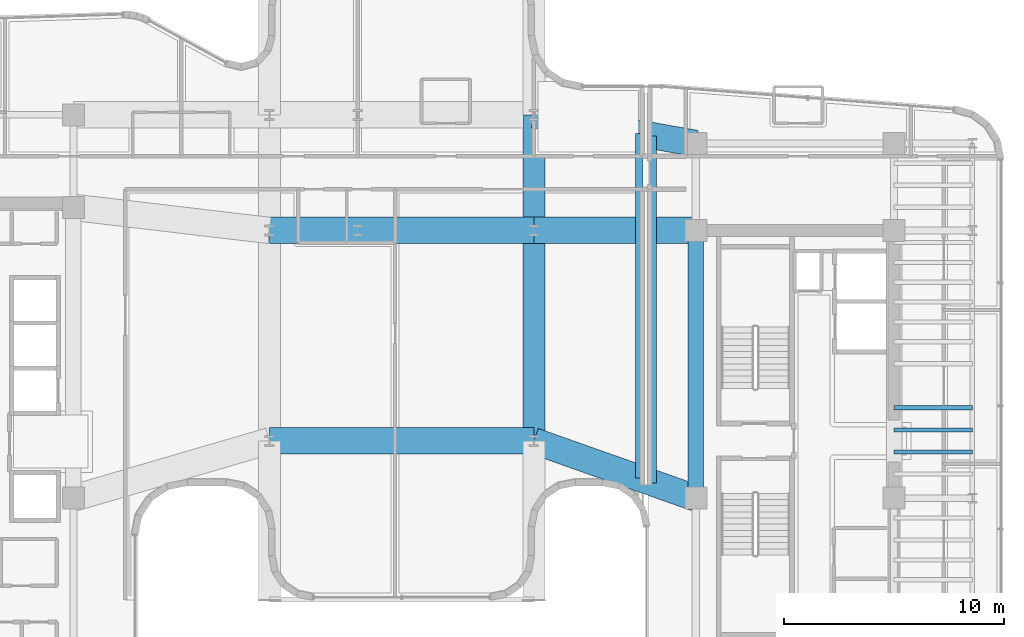
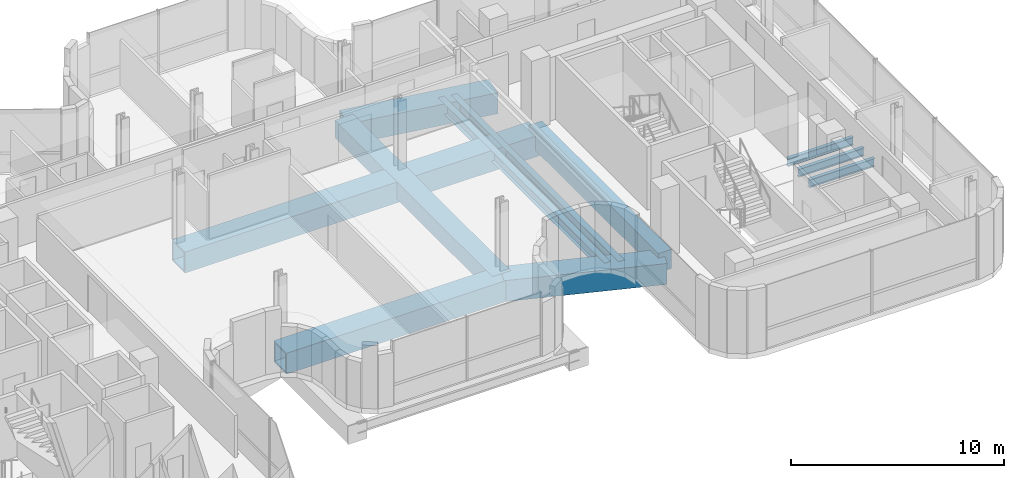
# One storey, part 13 of 36: 12 beams.
"""IFC4 building model written with IfcOpenShell, lengths in metres."""

from ifc_helpers import new_model, si_unit, direction, frame, origin, origin_2d, place, context, subcontext, project, spatial, rectangle, hollow_rectangle, i_section, extrude, source, transform, mapped, material, material_profile, profile_set, type_object, element, save


model = new_model("IFC4")

# Units and contexts
model_context = context("Model", 3, precision=1e-05, world=origin(), true_north=direction((0.0, 1.0)))
body_context = subcontext(model_context, "Body", "Model", "MODEL_VIEW")
ifc_project = project(units=[si_unit("LENGTHUNIT", "METRE"), si_unit("AREAUNIT", "SQUARE_METRE"), si_unit("VOLUMEUNIT", "CUBIC_METRE"), si_unit("PLANEANGLEUNIT", "RADIAN"), si_unit("MASSUNIT", "GRAM", prefix="KILO")], contexts=[model_context])

# Site, building, storey
site_placement = place(None, origin())
site = spatial("IfcSite", under=ifc_project, at=site_placement, CompositionType="ELEMENT")
building_placement = place(site_placement, origin())
building = spatial("IfcBuilding", under=site, at=building_placement, Name="Valdorenza Pilgrim Sanctuary Tower", CompositionType="ELEMENT")
storey_placement = place(building_placement, frame((0.0, 0.0, 176.550048828125)))
storey = spatial("IfcBuildingStorey", under=building, at=storey_placement, Name="L45", CompositionType="ELEMENT", Elevation=176.550048828125)

# Beams
ifc_material_1 = material(Name="Concrete C50/60", Category="concrete")
ifc_material_profile_1 = material_profile(ifc_material_1, rectangle(XDim=0.699951171875, YDim=1.10009765625, at=origin_2d()), Name="RC 1100x700")
ifc_profile_set_1 = profile_set([ifc_material_profile_1], Name="Concrete C50/60")
beam_type_1 = type_object("IfcBeamType", Name="STR-BM-LNT-1100", PredefinedType="LINTEL", material=ifc_profile_set_1)
shared_shape_1 = source(origin(), body_context, "Body", "SweptSolid", [
    extrude(rectangle(XDim=0.699951171875, YDim=1.10009765625, at=origin_2d()), origin(), (0.0, 0.0, 1.0), 12.150146484375),
])
beam_1_placement = place(storey_placement, frame((15.85009765625, -2.60009765625, -0.590087890625), z_axis=(0.0, 1.0, 0.0), x_axis=(-1.0, 0.0, 0.0)))
element("IfcBeam", 1, at=beam_1_placement, inside=storey, type_object=beam_type_1, Name="L45 Core B West Coupling Lintel Girder", PredefinedType="LINTEL", context=body_context, shape_type="MappedRepresentation", body=[
    mapped(shared_shape_1, transform((0.0, 0.0, 0.0), x_axis=(1.0, 0.0, 0.0), y_axis=(0.0, 1.0, 0.0), z_axis=(0.0, 0.0, 1.0), scale=1.0)),
])
ifc_material_2 = material(Name="Steel ASTM A992 Grade 50", Category="steel")
ifc_material_profile_2 = material_profile(ifc_material_2, i_section(OverallWidth=0.19091796875, OverallDepth=0.45703125, WebThickness=0.009033203125, FlangeThickness=0.014404296875, at=origin_2d()), Name="W18X50")
ifc_profile_set_2 = profile_set([ifc_material_profile_2], Name="Steel ASTM A992 Grade 50")
beam_type_2 = type_object("IfcBeamType", Name="STR-BM-JST-W18B", PredefinedType="JOIST", material=ifc_profile_set_2)
shared_shape_2 = source(origin(), body_context, "Body", "SweptSolid", [
    extrude(i_section(OverallWidth=0.19091796875, OverallDepth=0.45703125, WebThickness=0.009033203125, FlangeThickness=0.014404296875, at=origin_2d()), origin(), (0.0, 0.0, 1.0), 3.5498046875),
])
for number, where, z_axis, x_axis, name in (
    (2, (24.85009765625, -0.5, -0.548583984375), (1.0, 0.0, 0.0), (0.0, 1.0, 0.0), "L45 Composite Floor Joist JST-WB-9"),
    (3, (24.85009765625, 0.5, -0.548583984375), (1.0, 0.0, 0.0), (0.0, 1.0, 0.0), "L45 Composite Floor Joist JST-WB-10"),
    (4, (24.85009765625, 1.5, -0.548583984375), (1.0, 0.0, 0.0), (0.0, 1.0, 0.0), "L45 Composite Floor Joist JST-WB-11"),
):
    element("IfcBeam", number, at=place(storey_placement, frame(where, z_axis=z_axis, x_axis=x_axis)), inside=storey, type_object=beam_type_2, Name=name, PredefinedType="JOIST", context=body_context, shape_type="MappedRepresentation", body=[
        mapped(shared_shape_2, transform((0.0, 0.0, 0.0), x_axis=(1.0, 0.0, 0.0), y_axis=(0.0, 1.0, 0.0), z_axis=(0.0, 0.0, 1.0), scale=1.0)),
    ])
ifc_material_3 = material(Name="Steel ASTM A572 Grade 42", Category="steel")
ifc_material_profile_3 = material_profile(ifc_material_3, hollow_rectangle(XDim=1.199951171875, YDim=1.199951171875, WallThickness=0.090087890625, at=origin_2d()), Name="BOX 1200x1200x90")
ifc_profile_set_3 = profile_set([ifc_material_profile_3], Name="Steel ASTM A572 Grade 42")
beam_type_3 = type_object("IfcBeamType", Name="STR-BM-TRF-1200", PredefinedType="BEAM", material=ifc_profile_set_3)
shared_shape_3 = source(origin(), body_context, "Body", "SweptSolid", [
    extrude(hollow_rectangle(XDim=1.199951171875, YDim=1.199951171875, WallThickness=0.090087890625, at=origin_2d()), origin(), (0.0, 0.0, 1.0), 12.0),
])
for number, where, z_axis, x_axis, name in (
    (5, (-3.5, 0.0, -0.920166015625), (1.0, 0.0, 0.0), (0.0, 1.0, 0.0), "L45 Portal Bridge Transfer Girder PRY-G2-P0"),
    (6, (-3.5, 9.550048828125, -0.920166015625), (1.0, 0.0, 0.0), (0.0, 1.0, 0.0), "L45 Portal Bridge Transfer Girder PRY-G2-P9"),
):
    element("IfcBeam", number, at=place(storey_placement, frame(where, z_axis=z_axis, x_axis=x_axis)), inside=storey, type_object=beam_type_3, Name=name, PredefinedType="BEAM", context=body_context, shape_type="MappedRepresentation", body=[
        mapped(shared_shape_3, transform((0.0, 0.0, 0.0), x_axis=(1.0, 0.0, 0.0), y_axis=(0.0, 1.0, 0.0), z_axis=(0.0, 0.0, 1.0), scale=1.0)),
    ])
shared_shape_4 = source(origin(), body_context, "Body", "SweptSolid", [
    extrude(hollow_rectangle(XDim=1.199951171875, YDim=1.199951171875, WallThickness=0.090087890625, at=origin_2d()), origin(), (0.0, 0.0, 1.0), 7.79638671875),
])
beam_2_placement = place(storey_placement, frame((8.5, 0.0, -0.920166015625), z_axis=(0.942750751534, -0.333498156641, 0.0), x_axis=(0.333498156641, 0.942750751534, 0.0)))
element("IfcBeam", 7, at=beam_2_placement, inside=storey, type_object=beam_type_3, Name="L45 Portal Bridge Transfer Girder PRY-G3-P0", PredefinedType="BEAM", context=body_context, shape_type="MappedRepresentation", body=[
    mapped(shared_shape_4, transform((0.0, 0.0, 0.0), x_axis=(1.0, 0.0, 0.0), y_axis=(0.0, 1.0, 0.0), z_axis=(0.0, 0.0, 1.0), scale=1.0)),
])
shared_shape_5 = source(origin(), body_context, "Body", "SweptSolid", [
    extrude(hollow_rectangle(XDim=1.199951171875, YDim=1.199951171875, WallThickness=0.090087890625, at=origin_2d()), origin(), (0.0, 0.0, 1.0), 7.35009765625),
])
beam_3_placement = place(storey_placement, frame((8.5, 9.550048828125, -0.920166015625), z_axis=(1.0, 0.0, 0.0), x_axis=(0.0, 1.0, 0.0)))
element("IfcBeam", 8, at=beam_3_placement, inside=storey, type_object=beam_type_3, Name="L45 Portal Bridge Transfer Girder PRY-G3-P9", PredefinedType="BEAM", context=body_context, shape_type="MappedRepresentation", body=[
    mapped(shared_shape_5, transform((0.0, 0.0, 0.0), x_axis=(1.0, 0.0, 0.0), y_axis=(0.0, 1.0, 0.0), z_axis=(0.0, 0.0, 1.0), scale=1.0)),
])
shared_shape_6 = source(origin(), body_context, "Body", "SweptSolid", [
    extrude(hollow_rectangle(XDim=1.199951171875, YDim=1.199951171875, WallThickness=0.090087890625, at=origin_2d()), origin(), (0.0, 0.0, 1.0), 7.464111328125),
])
beam_4_placement = place(storey_placement, frame((8.5, 14.800048828125, -0.920166015625), z_axis=(0.984715322541, -0.17417156356, 0.0), x_axis=(0.17417156356, 0.984715322541, 0.0)))
element("IfcBeam", 9, at=beam_4_placement, inside=storey, type_object=beam_type_3, Name="L45 Portal Bridge Transfer Girder PRY-G3-P14", PredefinedType="BEAM", context=body_context, shape_type="MappedRepresentation", body=[
    mapped(shared_shape_6, transform((0.0, 0.0, 0.0), x_axis=(1.0, 0.0, 0.0), y_axis=(0.0, 1.0, 0.0), z_axis=(0.0, 0.0, 1.0), scale=1.0)),
])
ifc_material_profile_4 = material_profile(ifc_material_2, i_section(OverallWidth=0.323974609375, OverallDepth=0.611083984375, WebThickness=0.0126953125, FlangeThickness=0.01904296875, at=origin_2d()), Name="W24X104")
ifc_profile_set_4 = profile_set([ifc_material_profile_4], Name="Steel ASTM A992 Grade 50")
beam_type_4 = type_object("IfcBeamType", Name="STR-BM-GRD-W24B", PredefinedType="BEAM", material=ifc_profile_set_4)
shared_shape_7 = source(origin(), body_context, "Body", "SweptSolid", [
    extrude(i_section(OverallWidth=0.323974609375, OverallDepth=0.611083984375, WebThickness=0.0126953125, FlangeThickness=0.01904296875, at=origin_2d()), origin(), (0.0, 0.0, 1.0), 15.639892578125),
])
beam_5_placement = place(storey_placement, frame((13.280029296875, -1.68994140625, -0.62548828125), z_axis=(0.0, 1.0, 0.0), x_axis=(-1.0, 0.0, 0.0)))
element("IfcBeam", 10, at=beam_5_placement, inside=storey, type_object=beam_type_4, Name="L45 Bridge Joint Edge Header PRY-JNT-W", PredefinedType="BEAM", context=body_context, shape_type="MappedRepresentation", body=[
    mapped(shared_shape_7, transform((0.0, 0.0, 0.0), x_axis=(1.0, 0.0, 0.0), y_axis=(0.0, 1.0, 0.0), z_axis=(0.0, 0.0, 1.0), scale=1.0)),
])
shared_shape_8 = source(origin(), body_context, "Body", "SweptSolid", [
    extrude(i_section(OverallWidth=0.323974609375, OverallDepth=0.611083984375, WebThickness=0.0126953125, FlangeThickness=0.01904296875, at=origin_2d()), origin(), (0.0, 0.0, 1.0), 15.75),
])
beam_6_placement = place(storey_placement, frame((13.89990234375, -1.909912109375, -0.62548828125), z_axis=(0.0, 1.0, 0.0), x_axis=(-1.0, 0.0, 0.0)))
element("IfcBeam", 11, at=beam_6_placement, inside=storey, type_object=beam_type_4, Name="L45 Wing B Joint Edge Header PRY-JNT-E", PredefinedType="BEAM", context=body_context, shape_type="MappedRepresentation", body=[
    mapped(shared_shape_8, transform((0.0, 0.0, 0.0), x_axis=(1.0, 0.0, 0.0), y_axis=(0.0, 1.0, 0.0), z_axis=(0.0, 0.0, 1.0), scale=1.0)),
])
ifc_material_profile_5 = material_profile(ifc_material_3, hollow_rectangle(XDim=1.0, YDim=1.0, WallThickness=0.080078125, at=origin_2d()), Name="BOX 1000x1000x80")
ifc_profile_set_5 = profile_set([ifc_material_profile_5], Name="Steel ASTM A572 Grade 42")
beam_type_5 = type_object("IfcBeamType", Name="STR-BM-PROW-CANT", PredefinedType="BEAM", material=ifc_profile_set_5)
shared_shape_9 = source(origin(), body_context, "Body", "SweptSolid", [
    extrude(hollow_rectangle(XDim=1.0, YDim=1.0, WallThickness=0.080078125, at=origin_2d()), origin(), (0.0, 0.0, 1.0), 14.800048828125),
])
beam_7_placement = place(storey_placement, frame((8.5, 0.0, -0.820068359375), z_axis=(0.0, 1.0, 0.0), x_axis=(-1.0, 0.0, 0.0)))
element("IfcBeam", 12, at=beam_7_placement, inside=storey, type_object=beam_type_5, Name="L45 Sanctuary Backspan Girder PROW-BACK-N-E", PredefinedType="BEAM", context=body_context, shape_type="MappedRepresentation", body=[
    mapped(shared_shape_9, transform((0.0, 0.0, 0.0), x_axis=(1.0, 0.0, 0.0), y_axis=(0.0, 1.0, 0.0), z_axis=(0.0, 0.0, 1.0), scale=1.0)),
])

save(model, "model.ifc")
